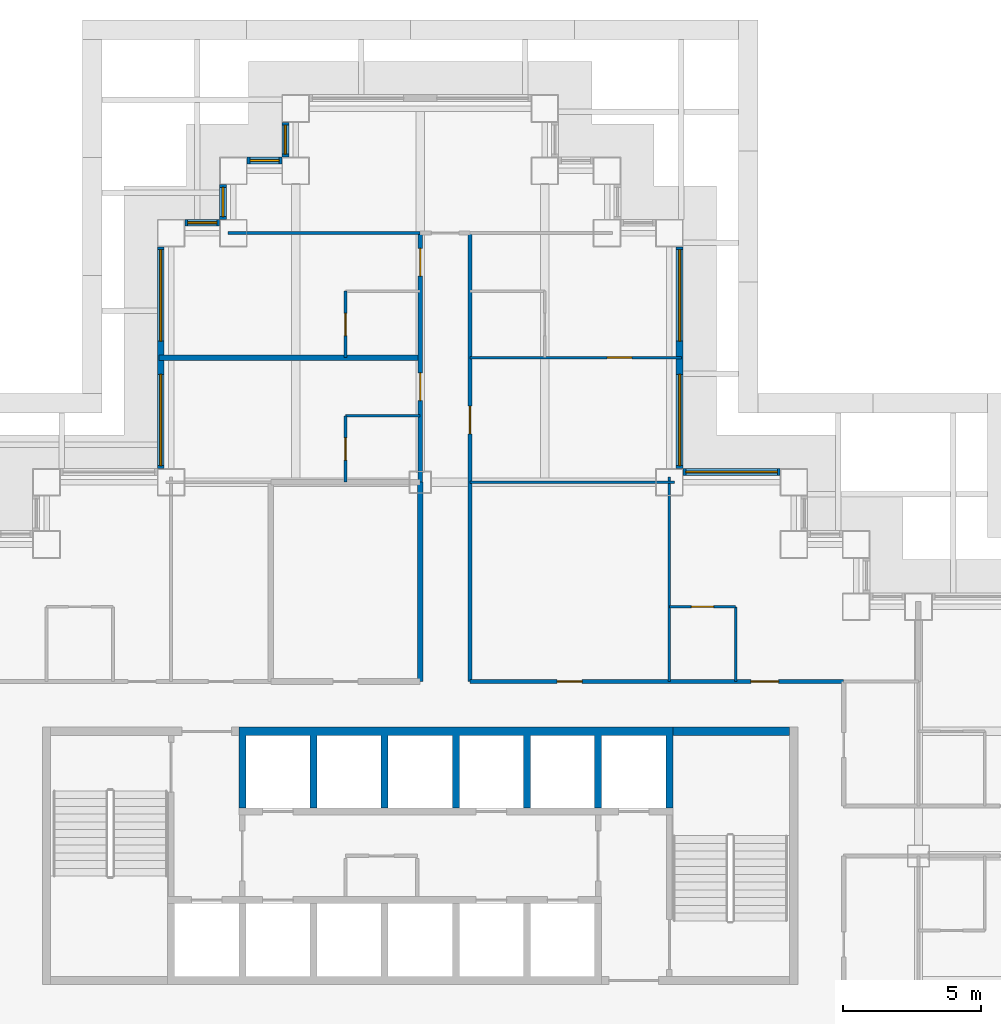
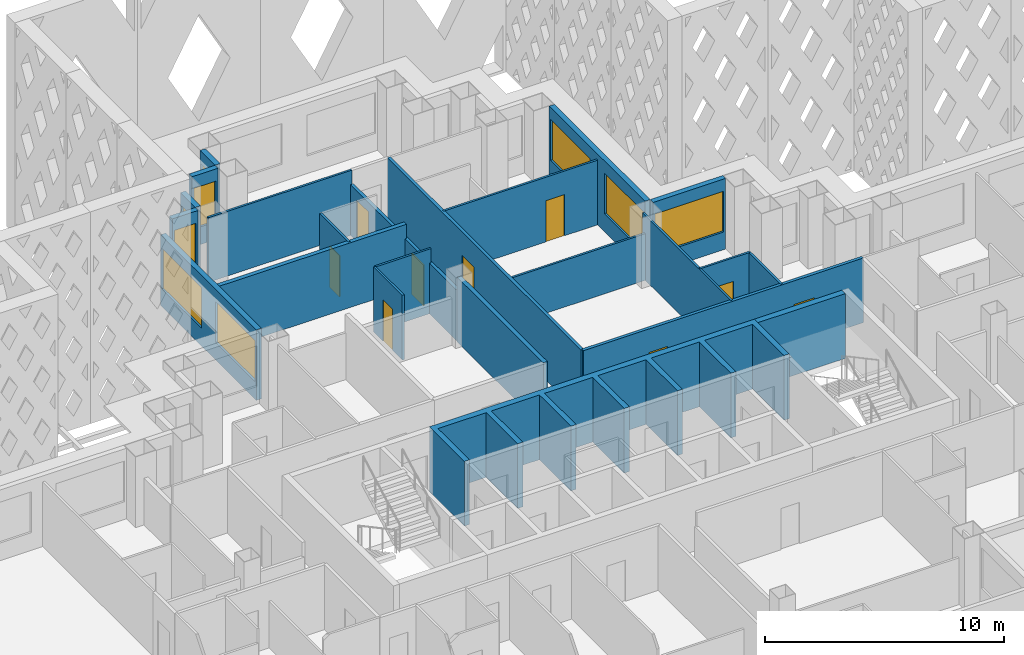
# One storey, part 8 of 19: 23 walls, 9 doors, 9 windows, 18 openings.
"""IFC4 building model written with IfcOpenShell, lengths in metres."""

from ifc_helpers import new_model, si_unit, direction, frame, frame_2d, origin, place, context, subcontext, project, spatial, polyline, rectangle, outline, extrude, material, layer, layer_set, type_object, element, fill, save


model = new_model("IFC4")

# Units and contexts
model_context = context("Model", 3, precision=1e-05, world=origin(), true_north=direction((0.0, 1.0)))
body_context = subcontext(model_context, "Body", "Model", "MODEL_VIEW")
ifc_project = project(units=[si_unit("LENGTHUNIT", "METRE"), si_unit("AREAUNIT", "SQUARE_METRE"), si_unit("VOLUMEUNIT", "CUBIC_METRE"), si_unit("PLANEANGLEUNIT", "RADIAN"), si_unit("MASSUNIT", "GRAM", prefix="KILO")], contexts=[model_context])

# Site, building, storey
site_placement = place(None, origin())
site = spatial("IfcSite", under=ifc_project, at=site_placement, CompositionType="ELEMENT")
building_placement = place(site_placement, origin())
building = spatial("IfcBuilding", under=site, at=building_placement, Name="Caravel Reach Hotel and Residences", CompositionType="ELEMENT")
storey_placement = place(building_placement, frame((0.0, 0.0, 63.60009765625)))
storey = spatial("IfcBuildingStorey", under=building, at=storey_placement, Name="L14", CompositionType="ELEMENT", Elevation=63.60009765625)

# Wall, opening, door
ifc_material_1 = material(Name="Gypsum board on steel stud", Category="steel")
ifc_layer_1 = layer(ifc_material_1, 0.10009765625)
ifc_layer_set_1 = layer_set([ifc_layer_1], Name="Bathroom pod wall 100 mm")
wall_type_1 = type_object("IfcWallType", Name="Bathroom pod wall 100 mm", PredefinedType="PARTITIONING", material=ifc_layer_set_1)
wall_1_placement = place(storey_placement, frame((40.5, 36.0, 0.0), z_axis=(0.0, 0.0, 1.0), x_axis=(1.0, 0.0, 0.0)))
wall_1 = element("IfcWall", 1, at=wall_1_placement, inside=storey, type_object=wall_type_1, Name="L14 wall w082", PredefinedType="PARTITIONING", context=body_context, shape_type="SweptSolid", body=[
    extrude(rectangle(XDim=2.39990234375, YDim=0.10009765625, at=frame_2d((1.199951171875, 0.0))), origin(), (0.0, 0.0, 1.0), 3.2998046875),
])
opening_1_placement = place(wall_1_placement, frame((0.800048828125, 0.0, 0.0)))
opening_1 = element("IfcOpeningElement", 2, at=opening_1_placement, cuts=wall_1, Name="Opening D14-045", PredefinedType="OPENING", context=body_context, shape_type="SweptSolid", body=[
    extrude(rectangle(XDim=0.800048828125, YDim=2.10009765625, at=frame_2d((0.39990234375, 1.050048828125))), frame((0.0, 0.06005859375, 0.0), z_axis=(0.0, -1.0, 0.0), x_axis=(1.0, 0.0, 0.0)), (0.0, 0.0, 1.0), 0.1201171875),
])
ifc_material_2 = material(Name="Timber and steel door leaf", Category="steel")
door_type_1 = type_object("IfcDoorType", Name="Bathroom door 800 x 2100", OperationType="SINGLE_SWING_LEFT", PredefinedType="DOOR", material=ifc_material_2)
door_1_placement = place(opening_1_placement, origin())
door_1 = element("IfcDoor", 3, at=door_1_placement, inside=storey, type_object=door_type_1, Name="door D14-045", OperationType="SINGLE_SWING_LEFT", OverallHeight=2.10009765625, OverallWidth=0.800048828125, PredefinedType="DOOR", context=body_context, shape_type="SweptSolid", body=[
    extrude(rectangle(XDim=0.800048828125, YDim=2.10009765625, at=frame_2d((0.39990234375, 1.050048828125))), frame((0.0, 0.02490234375, 0.0), z_axis=(0.0, -1.0, 0.0), x_axis=(1.0, 0.0, 0.0)), (0.0, 0.0, 1.0), 0.050048828125),
])
fill(opening_1, door_1)

# Wall
wall_2_placement = place(storey_placement, frame((28.800048828125, 42.89990234375, 0.0), z_axis=(0.0, 0.0, 1.0), x_axis=(1.0, 0.0, 0.0)))
element("IfcWall", 4, at=wall_2_placement, inside=storey, type_object=wall_type_1, Name="L14 wall w083", PredefinedType="PARTITIONING", context=body_context, shape_type="SweptSolid", body=[
    extrude(rectangle(XDim=2.699951171875, YDim=0.10009765625, at=frame_2d((1.35009765625, 0.0))), origin(), (0.0, 0.0, 1.0), 3.2998046875),
])

# Wall, opening, door
wall_3_placement = place(storey_placement, frame((28.800048828125, 40.5, 0.0), z_axis=(0.0, 0.0, 1.0), x_axis=(0.0, 1.0, 0.0)))
wall_3 = element("IfcWall", 5, at=wall_3_placement, inside=storey, type_object=wall_type_1, Name="L14 wall w095", PredefinedType="PARTITIONING", context=body_context, shape_type="SweptSolid", body=[
    extrude(rectangle(XDim=2.39990234375, YDim=0.10009765625, at=frame_2d((1.199951171875, 0.0))), origin(), (0.0, 0.0, 1.0), 3.2998046875),
])
opening_2_placement = place(wall_3_placement, frame((0.800048828125, 0.0, 0.0)))
opening_2 = element("IfcOpeningElement", 6, at=opening_2_placement, cuts=wall_3, Name="Opening D14-024", PredefinedType="OPENING", context=body_context, shape_type="SweptSolid", body=[
    extrude(rectangle(XDim=0.800048828125, YDim=2.10009765625, at=frame_2d((0.39990234375, 1.050048828125))), frame((0.0, 0.06005859375, 0.0), z_axis=(0.0, -1.0, 0.0), x_axis=(1.0, 0.0, 0.0)), (0.0, 0.0, 1.0), 0.1201171875),
])
door_2_placement = place(opening_2_placement, origin())
door_2 = element("IfcDoor", 7, at=door_2_placement, inside=storey, type_object=door_type_1, Name="door D14-024", OperationType="SINGLE_SWING_RIGHT", OverallHeight=2.10009765625, OverallWidth=0.800048828125, PredefinedType="DOOR", context=body_context, shape_type="SweptSolid", body=[
    extrude(rectangle(XDim=0.800048828125, YDim=2.10009765625, at=frame_2d((0.39990234375, 1.050048828125))), frame((0.0, 0.02490234375, 0.0), z_axis=(0.0, -1.0, 0.0), x_axis=(1.0, 0.0, 0.0)), (0.0, 0.0, 1.0), 0.050048828125),
])
fill(opening_2, door_2)

wall_4_placement = place(storey_placement, frame((28.800048828125, 45.0, 0.0), z_axis=(0.0, 0.0, 1.0), x_axis=(0.0, 1.0, 0.0)))
wall_4 = element("IfcWall", 8, at=wall_4_placement, inside=storey, type_object=wall_type_1, Name="L14 wall w096", PredefinedType="PARTITIONING", context=body_context, shape_type="SweptSolid", body=[
    extrude(rectangle(XDim=2.39990234375, YDim=0.10009765625, at=frame_2d((1.199951171875, 0.0))), origin(), (0.0, 0.0, 1.0), 3.2998046875),
])
opening_3_placement = place(wall_4_placement, frame((0.800048828125, 0.0, 0.0)))
opening_3 = element("IfcOpeningElement", 9, at=opening_3_placement, cuts=wall_4, Name="Opening D14-026", PredefinedType="OPENING", context=body_context, shape_type="SweptSolid", body=[
    extrude(rectangle(XDim=0.800048828125, YDim=2.10009765625, at=frame_2d((0.39990234375, 1.050048828125))), frame((0.0, 0.06005859375, 0.0), z_axis=(0.0, -1.0, 0.0), x_axis=(1.0, 0.0, 0.0)), (0.0, 0.0, 1.0), 0.1201171875),
])
door_3_placement = place(opening_3_placement, origin())
door_3 = element("IfcDoor", 10, at=door_3_placement, inside=storey, type_object=door_type_1, Name="door D14-026", OperationType="SINGLE_SWING_LEFT", OverallHeight=2.10009765625, OverallWidth=0.800048828125, PredefinedType="DOOR", context=body_context, shape_type="SweptSolid", body=[
    extrude(rectangle(XDim=0.800048828125, YDim=2.10009765625, at=frame_2d((0.39990234375, 1.050048828125))), frame((0.0, 0.02490234375, 0.0), z_axis=(0.0, -1.0, 0.0), x_axis=(1.0, 0.0, 0.0)), (0.0, 0.0, 1.0), 0.050048828125),
])
fill(opening_3, door_3)

# Walls
wall_5_placement = place(storey_placement, frame((42.89990234375, 33.300048828125, 0.0), z_axis=(0.0, 0.0, 1.0), x_axis=(0.0, 1.0, 0.0)))
element("IfcWall", 11, at=wall_5_placement, inside=storey, type_object=wall_type_1, Name="L14 wall w101", PredefinedType="PARTITIONING", context=body_context, shape_type="SweptSolid", body=[
    extrude(rectangle(XDim=2.699951171875, YDim=0.10009765625, at=frame_2d((1.35009765625, 0.0))), origin(), (0.0, 0.0, 1.0), 3.2998046875),
])
ifc_material_3 = material(Name="Autoclaved aerated block wall")
ifc_layer_2 = layer(ifc_material_3, 0.199951171875)
ifc_layer_set_2 = layer_set([ifc_layer_2], Name="Compartment wall 200 mm EI 120")
wall_type_2 = type_object("IfcWallType", Name="Compartment wall 200 mm EI 120", PredefinedType="PARTITIONING", material=ifc_layer_set_2)
wall_6_placement = place(storey_placement, frame((31.5, 33.300048828125, 0.0), z_axis=(0.0, 0.0, 1.0), x_axis=(0.0, 1.0, 0.0)))
element("IfcWall", 12, at=wall_6_placement, inside=storey, type_object=wall_type_2, Name="L14 wall w108", PredefinedType="PARTITIONING", context=body_context, shape_type="SweptSolid", body=[
    extrude(rectangle(XDim=7.199951171875, YDim=0.199951171875, at=frame_2d((3.60009765625, 0.0))), origin(), (0.0, 0.0, 1.0), 3.2998046875),
])
ifc_material_4 = material(Name="Concrete C60", Category="concrete")
ifc_layer_3 = layer(ifc_material_4, 0.300048828125)
ifc_layer_set_3 = layer_set([ifc_layer_3], Name="Core wall 300 mm EI 120")
wall_type_3 = type_object("IfcWallType", Name="Core wall 300 mm EI 120", PredefinedType="SHEAR", material=ifc_layer_set_3)
wall_7_placement = place(storey_placement, frame((40.625, 31.5, 0.0), z_axis=(0.0, 0.0, 1.0), x_axis=(1.0, 0.0, 0.0)))
element("IfcWall", 13, at=wall_7_placement, inside=storey, type_object=wall_type_3, Name="L14 core wall N2", PredefinedType="SHEAR", context=body_context, shape_type="SweptSolid", body=[
    extrude(rectangle(XDim=4.22509765625, YDim=0.300048828125, at=frame_2d((2.112548828125, 0.0))), origin(), (0.0, 0.0, 1.0), 3.2998046875),
])

# Wall, openings, doors
ifc_material_5 = material(Name="Gypsum board on steel stud, fire-rated", Category="steel")
ifc_layer_4 = layer(ifc_material_5, 0.14990234375)
ifc_layer_set_4 = layer_set([ifc_layer_4], Name="Corridor wall 150 mm EI 60")
wall_type_4 = type_object("IfcWallType", Name="Corridor wall 150 mm EI 60", PredefinedType="PARTITIONING", material=ifc_layer_set_4)
wall_8_placement = place(storey_placement, frame((33.300048828125, 33.300048828125, 0.0), z_axis=(0.0, 0.0, 1.0), x_axis=(1.0, 0.0, 0.0)))
wall_8 = element("IfcWall", 14, at=wall_8_placement, inside=storey, type_object=wall_type_4, Name="L14 wall w018", PredefinedType="PARTITIONING", context=body_context, shape_type="SweptSolid", body=[
    extrude(rectangle(XDim=13.5, YDim=0.14990234375, at=frame_2d((6.75, 0.0))), origin(), (0.0, 0.0, 1.0), 3.2998046875),
])
opening_4_placement = place(wall_8_placement, frame((10.14990234375, 0.0, 0.0)))
opening_4 = element("IfcOpeningElement", 15, at=opening_4_placement, cuts=wall_8, Name="Opening D14-044", PredefinedType="OPENING", context=body_context, shape_type="SweptSolid", body=[
    extrude(rectangle(XDim=1.0, YDim=2.10009765625, at=frame_2d((0.5, 1.050048828125))), frame((0.0, 0.0849609375, 0.0), z_axis=(0.0, -1.0, 0.0), x_axis=(1.0, 0.0, 0.0)), (0.0, 0.0, 1.0), 0.169921875),
])
opening_5_placement = place(wall_8_placement, frame((3.14990234375, 0.0, 0.0)))
opening_5 = element("IfcOpeningElement", 16, at=opening_5_placement, cuts=wall_8, Name="Opening D14-053", PredefinedType="OPENING", context=body_context, shape_type="SweptSolid", body=[
    extrude(rectangle(XDim=0.89990234375, YDim=2.10009765625, at=frame_2d((0.449951171875, 1.050048828125))), frame((0.0, 0.0849609375, 0.0), z_axis=(0.0, -1.0, 0.0), x_axis=(1.0, 0.0, 0.0)), (0.0, 0.0, 1.0), 0.169921875),
])
ifc_material_6 = material(Name="Timber and steel door leaf", Category="steel")
door_type_2 = type_object("IfcDoorType", Name="Door 900 x 2100 timber", OperationType="SINGLE_SWING_LEFT", PredefinedType="DOOR", material=ifc_material_6)
door_4_placement = place(opening_5_placement, origin())
door_4 = element("IfcDoor", 17, at=door_4_placement, inside=storey, type_object=door_type_2, Name="door D14-053", OperationType="SINGLE_SWING_LEFT", OverallHeight=2.10009765625, OverallWidth=0.89990234375, PredefinedType="DOOR", context=body_context, shape_type="SweptSolid", body=[
    extrude(rectangle(XDim=0.89990234375, YDim=2.10009765625, at=frame_2d((0.449951171875, 1.050048828125))), frame((0.0, 0.02490234375, 0.0), z_axis=(0.0, -1.0, 0.0), x_axis=(1.0, 0.0, 0.0)), (0.0, 0.0, 1.0), 0.050048828125),
])
fill(opening_5, door_4)
ifc_material_7 = material(Name="Steel fire door leaf", Category="steel")
door_type_3 = type_object("IfcDoorType", Name="Guest room door 1000 x 2100 EI 30", OperationType="SINGLE_SWING_LEFT", PredefinedType="DOOR", material=ifc_material_7)
door_5_placement = place(opening_4_placement, origin())
door_5 = element("IfcDoor", 18, at=door_5_placement, inside=storey, type_object=door_type_3, Name="door D14-044", OperationType="SINGLE_SWING_RIGHT", OverallHeight=2.10009765625, OverallWidth=1.0, PredefinedType="DOOR", context=body_context, shape_type="SweptSolid", body=[
    extrude(rectangle(XDim=1.0, YDim=2.10009765625, at=frame_2d((0.5, 1.050048828125))), frame((0.0, 0.02490234375, 0.0), z_axis=(0.0, -1.0, 0.0), x_axis=(1.0, 0.0, 0.0)), (0.0, 0.0, 1.0), 0.050048828125),
])
fill(opening_4, door_5)

wall_9_placement = place(storey_placement, frame((31.5, 40.5, 0.0), z_axis=(0.0, 0.0, 1.0), x_axis=(0.0, 1.0, 0.0)))
wall_9 = element("IfcWall", 19, at=wall_9_placement, inside=storey, type_object=wall_type_4, Name="L14 wall w026", PredefinedType="PARTITIONING", context=body_context, shape_type="SweptSolid", body=[
    extrude(rectangle(XDim=9.0, YDim=0.14990234375, at=frame_2d((4.5, 0.0))), origin(), (0.0, 0.0, 1.0), 2.579833984375),
])
opening_6_placement = place(wall_9_placement, frame((2.949951171875, 0.0, 0.0)))
opening_6 = element("IfcOpeningElement", 20, at=opening_6_placement, cuts=wall_9, Name="Opening D14-023", PredefinedType="OPENING", context=body_context, shape_type="SweptSolid", body=[
    extrude(rectangle(XDim=1.0, YDim=2.10009765625, at=frame_2d((0.5, 1.050048828125))), frame((0.0, 0.0849609375, 0.0), z_axis=(0.0, -1.0, 0.0), x_axis=(1.0, 0.0, 0.0)), (0.0, 0.0, 1.0), 0.169921875),
])
opening_7_placement = place(wall_9_placement, frame((7.449951171875, 0.0, 0.0)))
opening_7 = element("IfcOpeningElement", 21, at=opening_7_placement, cuts=wall_9, Name="Opening D14-025", PredefinedType="OPENING", context=body_context, shape_type="SweptSolid", body=[
    extrude(rectangle(XDim=1.0, YDim=2.10009765625, at=frame_2d((0.5, 1.050048828125))), frame((0.0, 0.0849609375, 0.0), z_axis=(0.0, -1.0, 0.0), x_axis=(1.0, 0.0, 0.0)), (0.0, 0.0, 1.0), 0.169921875),
])
door_6_placement = place(opening_6_placement, origin())
door_6 = element("IfcDoor", 22, at=door_6_placement, inside=storey, type_object=door_type_3, Name="door D14-023", OperationType="SINGLE_SWING_RIGHT", OverallHeight=2.10009765625, OverallWidth=1.0, PredefinedType="DOOR", context=body_context, shape_type="SweptSolid", body=[
    extrude(rectangle(XDim=1.0, YDim=2.10009765625, at=frame_2d((0.5, 1.050048828125))), frame((0.0, 0.02490234375, 0.0), z_axis=(0.0, -1.0, 0.0), x_axis=(1.0, 0.0, 0.0)), (0.0, 0.0, 1.0), 0.050048828125),
])
fill(opening_6, door_6)
door_7_placement = place(opening_7_placement, origin())
door_7 = element("IfcDoor", 23, at=door_7_placement, inside=storey, type_object=door_type_3, Name="door D14-025", OperationType="SINGLE_SWING_RIGHT", OverallHeight=2.10009765625, OverallWidth=1.0, PredefinedType="DOOR", context=body_context, shape_type="SweptSolid", body=[
    extrude(rectangle(XDim=1.0, YDim=2.10009765625, at=frame_2d((0.5, 1.050048828125))), frame((0.0, 0.02490234375, 0.0), z_axis=(0.0, -1.0, 0.0), x_axis=(1.0, 0.0, 0.0)), (0.0, 0.0, 1.0), 0.050048828125),
])
fill(opening_7, door_7)

# Wall, opening, door
wall_10_placement = place(storey_placement, frame((33.300048828125, 33.300048828125, 0.0), z_axis=(0.0, 0.0, 1.0), x_axis=(0.0, 1.0, 0.0)))
wall_10 = element("IfcWall", 24, at=wall_10_placement, inside=storey, type_object=wall_type_4, Name="L14 wall w031", PredefinedType="PARTITIONING", context=body_context, shape_type="SweptSolid", body=[
    extrude(rectangle(XDim=16.199951171875, YDim=0.14990234375, at=frame_2d((8.10009765625, 0.0))), origin(), (0.0, 0.0, 1.0), 3.2998046875),
])
opening_8_placement = place(wall_10_placement, frame((8.949951171875, 0.0, 0.0)))
opening_8 = element("IfcOpeningElement", 25, at=opening_8_placement, cuts=wall_10, Name="Opening D14-027", PredefinedType="OPENING", context=body_context, shape_type="SweptSolid", body=[
    extrude(rectangle(XDim=1.0, YDim=2.10009765625, at=frame_2d((0.5, 1.050048828125))), frame((0.0, 0.0849609375, 0.0), z_axis=(0.0, -1.0, 0.0), x_axis=(1.0, 0.0, 0.0)), (0.0, 0.0, 1.0), 0.169921875),
])
door_8_placement = place(opening_8_placement, origin())
door_8 = element("IfcDoor", 26, at=door_8_placement, inside=storey, type_object=door_type_3, Name="door D14-027", OperationType="SINGLE_SWING_RIGHT", OverallHeight=2.10009765625, OverallWidth=1.0, PredefinedType="DOOR", context=body_context, shape_type="SweptSolid", body=[
    extrude(rectangle(XDim=1.0, YDim=2.10009765625, at=frame_2d((0.5, 1.050048828125))), frame((0.0, 0.02490234375, 0.0), z_axis=(0.0, -1.0, 0.0), x_axis=(1.0, 0.0, 0.0)), (0.0, 0.0, 1.0), 0.050048828125),
])
fill(opening_8, door_8)

# Wall, opening, window
ifc_material_8 = material(Name="Insulated rainscreen wall, aluminium cladding", Category="aluminium")
ifc_layer_5 = layer(ifc_material_8, 0.25)
ifc_layer_set_5 = layer_set([ifc_layer_5], Name="EW1 Tower rainscreen wall")
wall_type_5 = type_object("IfcWallType", Name="EW1 Tower rainscreen wall", PredefinedType="SOLIDWALL", material=ifc_layer_set_5)
wall_11_placement = place(storey_placement, frame((44.5, 40.875, 0.0), z_axis=(0.0, 0.0, 1.0), x_axis=(-1.0, 0.0, 0.0)))
wall_11 = element("IfcWall", 27, at=wall_11_placement, inside=storey, type_object=wall_type_5, Name="External wall L14 N29.1", PredefinedType="SOLIDWALL", context=body_context, shape_type="SweptSolid", body=[
    extrude(rectangle(XDim=3.5, YDim=0.25, at=frame_2d((1.75, 0.0))), origin(), (0.0, 0.0, 1.0), 3.599853515625),
])
opening_9_placement = place(wall_11_placement, frame((0.10009765625, 0.0, 0.89990234375)))
opening_9 = element("IfcOpeningElement", 28, at=opening_9_placement, cuts=wall_11, Name="Opening WN4", PredefinedType="OPENING", context=body_context, shape_type="SweptSolid", body=[
    extrude(rectangle(XDim=3.300048828125, YDim=2.080078125, at=frame_2d((1.64990234375, 1.0400390625))), frame((0.0, 0.135009765625, 0.0), z_axis=(0.0, -1.0, 0.0), x_axis=(1.0, 0.0, 0.0)), (0.0, 0.0, 1.0), 0.27001953125),
])
ifc_material_9 = material(Name="Dark low-e glazing in black aluminium frame", Category="aluminium")
window_type_1 = type_object("IfcWindowType", Name="Hotel guest room window 3300 x 2080", PartitioningType="SINGLE_PANEL", PredefinedType="WINDOW", material=ifc_material_9)
window_1_placement = place(opening_9_placement, origin())
window_1 = element("IfcWindow", 29, at=window_1_placement, inside=storey, type_object=window_type_1, Name="Window L14 N29.1.1", OverallHeight=2.080078125, OverallWidth=3.300048828125, PartitioningType="SINGLE_PANEL", PredefinedType="WINDOW", context=body_context, shape_type="SweptSolid", body=[
    extrude(rectangle(XDim=3.300048828125, YDim=2.080078125, at=frame_2d((1.64990234375, 1.0400390625))), frame((0.0, 0.030029296875, 0.0), z_axis=(0.0, -1.0, 0.0), x_axis=(1.0, 0.0, 0.0)), (0.0, 0.0, 1.0), 0.06005859375),
])
fill(opening_9, window_1)

# Wall, openings, windows
wall_12_placement = place(storey_placement, frame((40.875, 41.0, 0.0), z_axis=(0.0, 0.0, 1.0), x_axis=(0.0, 1.0, 0.0)))
wall_12 = element("IfcWall", 30, at=wall_12_placement, inside=storey, type_object=wall_type_5, Name="External wall L14 E30.1", PredefinedType="SOLIDWALL", context=body_context, shape_type="SweptSolid", body=[
    extrude(rectangle(XDim=8.0, YDim=0.25, at=frame_2d((4.0, 0.0))), origin(), (0.0, 0.0, 1.0), 3.599853515625),
])
opening_10_placement = place(wall_12_placement, frame((0.10009765625, 0.0, 0.89990234375)))
opening_10 = element("IfcOpeningElement", 31, at=opening_10_placement, cuts=wall_12, Name="Opening WN4", PredefinedType="OPENING", context=body_context, shape_type="SweptSolid", body=[
    extrude(rectangle(XDim=3.300048828125, YDim=2.080078125, at=frame_2d((1.64990234375, 1.0400390625))), frame((0.0, 0.135009765625, 0.0), z_axis=(0.0, -1.0, 0.0), x_axis=(1.0, 0.0, 0.0)), (0.0, 0.0, 1.0), 0.27001953125),
])
opening_11_placement = place(wall_12_placement, frame((4.60009765625, 0.0, 0.89990234375)))
opening_11 = element("IfcOpeningElement", 32, at=opening_11_placement, cuts=wall_12, Name="Opening WN4", PredefinedType="OPENING", context=body_context, shape_type="SweptSolid", body=[
    extrude(rectangle(XDim=3.300048828125, YDim=2.080078125, at=frame_2d((1.64990234375, 1.0400390625))), frame((0.0, 0.135009765625, 0.0), z_axis=(0.0, -1.0, 0.0), x_axis=(1.0, 0.0, 0.0)), (0.0, 0.0, 1.0), 0.27001953125),
])
window_2_placement = place(opening_10_placement, origin())
window_2 = element("IfcWindow", 33, at=window_2_placement, inside=storey, type_object=window_type_1, Name="Window L14 E30.1.1", OverallHeight=2.080078125, OverallWidth=3.300048828125, PartitioningType="SINGLE_PANEL", PredefinedType="WINDOW", context=body_context, shape_type="SweptSolid", body=[
    extrude(rectangle(XDim=3.300048828125, YDim=2.080078125, at=frame_2d((1.64990234375, 1.0400390625))), frame((0.0, 0.030029296875, 0.0), z_axis=(0.0, -1.0, 0.0), x_axis=(1.0, 0.0, 0.0)), (0.0, 0.0, 1.0), 0.06005859375),
])
fill(opening_10, window_2)
window_3_placement = place(opening_11_placement, origin())
window_3 = element("IfcWindow", 34, at=window_3_placement, inside=storey, type_object=window_type_1, Name="Window L14 E30.1.2", OverallHeight=2.080078125, OverallWidth=3.300048828125, PartitioningType="SINGLE_PANEL", PredefinedType="WINDOW", context=body_context, shape_type="SweptSolid", body=[
    extrude(rectangle(XDim=3.300048828125, YDim=2.080078125, at=frame_2d((1.64990234375, 1.0400390625))), frame((0.0, 0.030029296875, 0.0), z_axis=(0.0, -1.0, 0.0), x_axis=(1.0, 0.0, 0.0)), (0.0, 0.0, 1.0), 0.06005859375),
])
fill(opening_11, window_3)

# Wall, opening, window
wall_13_placement = place(storey_placement, frame((26.625, 53.5, 0.0), z_axis=(0.0, 0.0, 1.0), x_axis=(0.0, -1.0, 0.0)))
wall_13 = element("IfcWall", 35, at=wall_13_placement, inside=storey, type_object=wall_type_5, Name="External wall L14 W36.1", PredefinedType="SOLIDWALL", context=body_context, shape_type="SweptSolid", body=[
    extrude(rectangle(XDim=1.25, YDim=0.25, at=frame_2d((0.625, 0.0))), origin(), (0.0, 0.0, 1.0), 3.599853515625),
])
opening_12_placement = place(wall_13_placement, frame((0.10009765625, 0.0, 0.89990234375)))
opening_12 = element("IfcOpeningElement", 36, at=opening_12_placement, cuts=wall_13, Name="Opening WN3", PredefinedType="OPENING", context=body_context, shape_type="SweptSolid", body=[
    extrude(rectangle(XDim=1.050048828125, YDim=2.080078125, at=frame_2d((0.52490234375, 1.0400390625))), frame((0.0, 0.135009765625, 0.0), z_axis=(0.0, -1.0, 0.0), x_axis=(1.0, 0.0, 0.0)), (0.0, 0.0, 1.0), 0.27001953125),
])
ifc_material_10 = material(Name="Dark low-e glazing in black aluminium frame", Category="aluminium")
window_type_2 = type_object("IfcWindowType", Name="Hotel suite corner window 1050 x 2080", PartitioningType="SINGLE_PANEL", PredefinedType="WINDOW", material=ifc_material_10)
window_4_placement = place(opening_12_placement, origin())
window_4 = element("IfcWindow", 37, at=window_4_placement, inside=storey, type_object=window_type_2, Name="Window L14 W36.1.1", OverallHeight=2.080078125, OverallWidth=1.050048828125, PartitioningType="SINGLE_PANEL", PredefinedType="WINDOW", context=body_context, shape_type="SweptSolid", body=[
    extrude(rectangle(XDim=1.050048828125, YDim=2.080078125, at=frame_2d((0.52490234375, 1.0400390625))), frame((0.0, 0.030029296875, 0.0), z_axis=(0.0, -1.0, 0.0), x_axis=(1.0, 0.0, 0.0)), (0.0, 0.0, 1.0), 0.06005859375),
])
fill(opening_12, window_4)

wall_14_placement = place(storey_placement, frame((26.5, 52.125, 0.0), z_axis=(0.0, 0.0, 1.0), x_axis=(-1.0, 0.0, 0.0)))
wall_14 = element("IfcWall", 38, at=wall_14_placement, inside=storey, type_object=wall_type_5, Name="External wall L14 N37.1", PredefinedType="SOLIDWALL", context=body_context, shape_type="SweptSolid", body=[
    extrude(rectangle(XDim=1.25, YDim=0.25, at=frame_2d((0.625, 0.0))), origin(), (0.0, 0.0, 1.0), 3.599853515625),
])
opening_13_placement = place(wall_14_placement, frame((0.10009765625, 0.0, 0.89990234375)))
opening_13 = element("IfcOpeningElement", 39, at=opening_13_placement, cuts=wall_14, Name="Opening WN3", PredefinedType="OPENING", context=body_context, shape_type="SweptSolid", body=[
    extrude(rectangle(XDim=1.050048828125, YDim=2.080078125, at=frame_2d((0.52490234375, 1.0400390625))), frame((0.0, 0.135009765625, 0.0), z_axis=(0.0, -1.0, 0.0), x_axis=(1.0, 0.0, 0.0)), (0.0, 0.0, 1.0), 0.27001953125),
])
window_5_placement = place(opening_13_placement, origin())
window_5 = element("IfcWindow", 40, at=window_5_placement, inside=storey, type_object=window_type_2, Name="Window L14 N37.1.1", OverallHeight=2.080078125, OverallWidth=1.050048828125, PartitioningType="SINGLE_PANEL", PredefinedType="WINDOW", context=body_context, shape_type="SweptSolid", body=[
    extrude(rectangle(XDim=1.050048828125, YDim=2.080078125, at=frame_2d((0.52490234375, 1.0400390625))), frame((0.0, 0.030029296875, 0.0), z_axis=(0.0, -1.0, 0.0), x_axis=(1.0, 0.0, 0.0)), (0.0, 0.0, 1.0), 0.06005859375),
])
fill(opening_13, window_5)

wall_15_placement = place(storey_placement, frame((24.375, 51.25, 0.0), z_axis=(0.0, 0.0, 1.0), x_axis=(0.0, -1.0, 0.0)))
wall_15 = element("IfcWall", 41, at=wall_15_placement, inside=storey, type_object=wall_type_5, Name="External wall L14 W38.1", PredefinedType="SOLIDWALL", context=body_context, shape_type="SweptSolid", body=[
    extrude(rectangle(XDim=1.25, YDim=0.25, at=frame_2d((0.625, 0.0))), origin(), (0.0, 0.0, 1.0), 3.599853515625),
])
opening_14_placement = place(wall_15_placement, frame((0.10009765625, 0.0, 0.89990234375)))
opening_14 = element("IfcOpeningElement", 42, at=opening_14_placement, cuts=wall_15, Name="Opening WN3", PredefinedType="OPENING", context=body_context, shape_type="SweptSolid", body=[
    extrude(rectangle(XDim=1.050048828125, YDim=2.080078125, at=frame_2d((0.52490234375, 1.0400390625))), frame((0.0, 0.135009765625, 0.0), z_axis=(0.0, -1.0, 0.0), x_axis=(1.0, 0.0, 0.0)), (0.0, 0.0, 1.0), 0.27001953125),
])
window_6_placement = place(opening_14_placement, origin())
window_6 = element("IfcWindow", 43, at=window_6_placement, inside=storey, type_object=window_type_2, Name="Window L14 W38.1.1", OverallHeight=2.080078125, OverallWidth=1.050048828125, PartitioningType="SINGLE_PANEL", PredefinedType="WINDOW", context=body_context, shape_type="SweptSolid", body=[
    extrude(rectangle(XDim=1.050048828125, YDim=2.080078125, at=frame_2d((0.52490234375, 1.0400390625))), frame((0.0, 0.030029296875, 0.0), z_axis=(0.0, -1.0, 0.0), x_axis=(1.0, 0.0, 0.0)), (0.0, 0.0, 1.0), 0.06005859375),
])
fill(opening_14, window_6)

wall_16_placement = place(storey_placement, frame((24.25, 49.875, 0.0), z_axis=(0.0, 0.0, 1.0), x_axis=(-1.0, 0.0, 0.0)))
wall_16 = element("IfcWall", 44, at=wall_16_placement, inside=storey, type_object=wall_type_5, Name="External wall L14 N39.1", PredefinedType="SOLIDWALL", context=body_context, shape_type="SweptSolid", body=[
    extrude(rectangle(XDim=1.25, YDim=0.25, at=frame_2d((0.625, 0.0))), origin(), (0.0, 0.0, 1.0), 3.599853515625),
])
opening_15_placement = place(wall_16_placement, frame((0.10009765625, 0.0, 0.89990234375)))
opening_15 = element("IfcOpeningElement", 45, at=opening_15_placement, cuts=wall_16, Name="Opening WN3", PredefinedType="OPENING", context=body_context, shape_type="SweptSolid", body=[
    extrude(rectangle(XDim=1.050048828125, YDim=2.080078125, at=frame_2d((0.52490234375, 1.0400390625))), frame((0.0, 0.135009765625, 0.0), z_axis=(0.0, -1.0, 0.0), x_axis=(1.0, 0.0, 0.0)), (0.0, 0.0, 1.0), 0.27001953125),
])
window_7_placement = place(opening_15_placement, origin())
window_7 = element("IfcWindow", 46, at=window_7_placement, inside=storey, type_object=window_type_2, Name="Window L14 N39.1.1", OverallHeight=2.080078125, OverallWidth=1.050048828125, PartitioningType="SINGLE_PANEL", PredefinedType="WINDOW", context=body_context, shape_type="SweptSolid", body=[
    extrude(rectangle(XDim=1.050048828125, YDim=2.080078125, at=frame_2d((0.52490234375, 1.0400390625))), frame((0.0, 0.030029296875, 0.0), z_axis=(0.0, -1.0, 0.0), x_axis=(1.0, 0.0, 0.0)), (0.0, 0.0, 1.0), 0.06005859375),
])
fill(opening_15, window_7)

# Wall, openings, windows
wall_17_placement = place(storey_placement, frame((22.125, 49.0, 0.0), z_axis=(0.0, 0.0, 1.0), x_axis=(0.0, -1.0, 0.0)))
wall_17 = element("IfcWall", 47, at=wall_17_placement, inside=storey, type_object=wall_type_5, Name="External wall L14 W40.1", PredefinedType="SOLIDWALL", context=body_context, shape_type="SweptSolid", body=[
    extrude(rectangle(XDim=8.0, YDim=0.25, at=frame_2d((4.0, 0.0))), origin(), (0.0, 0.0, 1.0), 3.599853515625),
])
opening_16_placement = place(wall_17_placement, frame((0.10009765625, 0.0, 0.89990234375)))
opening_16 = element("IfcOpeningElement", 48, at=opening_16_placement, cuts=wall_17, Name="Opening WN4", PredefinedType="OPENING", context=body_context, shape_type="SweptSolid", body=[
    extrude(rectangle(XDim=3.300048828125, YDim=2.080078125, at=frame_2d((1.64990234375, 1.0400390625))), frame((0.0, 0.135009765625, 0.0), z_axis=(0.0, -1.0, 0.0), x_axis=(1.0, 0.0, 0.0)), (0.0, 0.0, 1.0), 0.27001953125),
])
opening_17_placement = place(wall_17_placement, frame((4.60009765625, 0.0, 0.89990234375)))
opening_17 = element("IfcOpeningElement", 49, at=opening_17_placement, cuts=wall_17, Name="Opening WN4", PredefinedType="OPENING", context=body_context, shape_type="SweptSolid", body=[
    extrude(rectangle(XDim=3.300048828125, YDim=2.080078125, at=frame_2d((1.64990234375, 1.0400390625))), frame((0.0, 0.135009765625, 0.0), z_axis=(0.0, -1.0, 0.0), x_axis=(1.0, 0.0, 0.0)), (0.0, 0.0, 1.0), 0.27001953125),
])
window_8_placement = place(opening_16_placement, origin())
window_8 = element("IfcWindow", 50, at=window_8_placement, inside=storey, type_object=window_type_1, Name="Window L14 W40.1.1", OverallHeight=2.080078125, OverallWidth=3.300048828125, PartitioningType="SINGLE_PANEL", PredefinedType="WINDOW", context=body_context, shape_type="SweptSolid", body=[
    extrude(rectangle(XDim=3.300048828125, YDim=2.080078125, at=frame_2d((1.64990234375, 1.0400390625))), frame((0.0, 0.030029296875, 0.0), z_axis=(0.0, -1.0, 0.0), x_axis=(1.0, 0.0, 0.0)), (0.0, 0.0, 1.0), 0.06005859375),
])
fill(opening_16, window_8)
window_9_placement = place(opening_17_placement, origin())
window_9 = element("IfcWindow", 51, at=window_9_placement, inside=storey, type_object=window_type_1, Name="Window L14 W40.1.2", OverallHeight=2.080078125, OverallWidth=3.300048828125, PartitioningType="SINGLE_PANEL", PredefinedType="WINDOW", context=body_context, shape_type="SweptSolid", body=[
    extrude(rectangle(XDim=3.300048828125, YDim=2.080078125, at=frame_2d((1.64990234375, 1.0400390625))), frame((0.0, 0.030029296875, 0.0), z_axis=(0.0, -1.0, 0.0), x_axis=(1.0, 0.0, 0.0)), (0.0, 0.0, 1.0), 0.06005859375),
])
fill(opening_17, window_9)

# Wall
ifc_material_11 = material(Name="Gypsum board on steel stud", Category="steel")
ifc_layer_6 = layer(ifc_material_11, 0.10009765625)
ifc_layer_set_6 = layer_set([ifc_layer_6], Name="Partition 100 mm")
wall_type_6 = type_object("IfcWallType", Name="Partition 100 mm", PredefinedType="PARTITIONING", material=ifc_layer_set_6)
wall_18_placement = place(storey_placement, frame((33.300048828125, 40.5, 0.0), z_axis=(0.0, 0.0, 1.0), x_axis=(1.0, 0.0, 0.0)))
element("IfcWall", 52, at=wall_18_placement, inside=storey, type_object=wall_type_6, Name="L14 wall w046", PredefinedType="PARTITIONING", context=body_context, shape_type="SweptSolid", body=[
    extrude(rectangle(XDim=7.389892578125, YDim=0.10009765625, at=frame_2d((3.69482421875, 0.0))), origin(), (0.0, 0.0, 1.0), 2.3798828125),
])

# Wall, opening, door
wall_19_placement = place(storey_placement, frame((33.300048828125, 45.0, 0.0), z_axis=(0.0, 0.0, 1.0), x_axis=(1.0, 0.0, 0.0)))
wall_19 = element("IfcWall", 53, at=wall_19_placement, inside=storey, type_object=wall_type_6, Name="L14 wall w047", PredefinedType="PARTITIONING", context=body_context, shape_type="SweptSolid", body=[
    extrude(rectangle(XDim=7.639892578125, YDim=0.10009765625, at=frame_2d((3.81982421875, 0.0))), origin(), (0.0, 0.0, 1.0), 3.2998046875),
])
opening_18_placement = place(wall_19_placement, frame((4.949951171875, 0.0, 0.0)))
opening_18 = element("IfcOpeningElement", 54, at=opening_18_placement, cuts=wall_19, Name="Opening D14-028", PredefinedType="OPENING", context=body_context, shape_type="SweptSolid", body=[
    extrude(rectangle(XDim=0.89990234375, YDim=2.10009765625, at=frame_2d((0.449951171875, 1.050048828125))), frame((0.0, 0.06005859375, 0.0), z_axis=(0.0, -1.0, 0.0), x_axis=(1.0, 0.0, 0.0)), (0.0, 0.0, 1.0), 0.1201171875),
])
door_9_placement = place(opening_18_placement, origin())
door_9 = element("IfcDoor", 55, at=door_9_placement, inside=storey, type_object=door_type_2, Name="door D14-028", OperationType="SINGLE_SWING_RIGHT", OverallHeight=2.10009765625, OverallWidth=0.89990234375, PredefinedType="DOOR", context=body_context, shape_type="SweptSolid", body=[
    extrude(rectangle(XDim=0.89990234375, YDim=2.10009765625, at=frame_2d((0.449951171875, 1.050048828125))), frame((0.0, 0.02490234375, 0.0), z_axis=(0.0, -1.0, 0.0), x_axis=(1.0, 0.0, 0.0)), (0.0, 0.0, 1.0), 0.050048828125),
])
fill(opening_18, door_9)

# Walls
wall_20_placement = place(storey_placement, frame((24.56005859375, 49.5, 0.0), z_axis=(0.0, 0.0, 1.0), x_axis=(1.0, 0.0, 0.0)))
element("IfcWall", 56, at=wall_20_placement, inside=storey, type_object=wall_type_6, Name="L14 wall w048", PredefinedType="PARTITIONING", context=body_context, shape_type="SweptSolid", body=[
    extrude(rectangle(XDim=6.93994140625, YDim=0.10009765625, at=frame_2d((3.469970703125, 0.0))), origin(), (0.0, 0.0, 1.0), 3.2998046875),
])
wall_21_placement = place(storey_placement, frame((40.5, 33.300048828125, 0.0), z_axis=(0.0, 0.0, 1.0), x_axis=(0.0, 1.0, 0.0)))
element("IfcWall", 57, at=wall_21_placement, inside=storey, type_object=wall_type_6, Name="L14 wall w058", PredefinedType="PARTITIONING", context=body_context, shape_type="SweptSolid", body=[
    extrude(rectangle(XDim=7.389892578125, YDim=0.10009765625, at=frame_2d((3.69482421875, 0.0))), origin(), (0.0, 0.0, 1.0), 3.2998046875),
])
ifc_material_12 = material(Name="Autoclaved aerated block wall")
ifc_layer_7 = layer(ifc_material_12, 0.199951171875)
ifc_layer_set_7 = layer_set([ifc_layer_7], Name="Party wall 200 mm EI 60")
wall_type_7 = type_object("IfcWallType", Name="Party wall 200 mm EI 60", PredefinedType="PARTITIONING", material=ifc_layer_set_7)
wall_22_placement = place(storey_placement, frame((22.06005859375, 45.0, 0.0), z_axis=(0.0, 0.0, 1.0), x_axis=(1.0, 0.0, 0.0)))
element("IfcWall", 58, at=wall_22_placement, inside=storey, type_object=wall_type_7, Name="L14 wall w068", PredefinedType="PARTITIONING", context=body_context, shape_type="SweptSolid", body=[
    extrude(rectangle(XDim=9.43994140625, YDim=0.199951171875, at=frame_2d((4.719970703125, 0.0))), origin(), (0.0, 0.0, 1.0), 3.2998046875),
])
ifc_material_13 = material(Name="Concrete C60", Category="concrete")
ifc_layer_8 = layer(ifc_material_13, 0.25)
ifc_layer_set_8 = layer_set([ifc_layer_8], Name="Shaft wall 250 mm EI 120")
wall_type_8 = type_object("IfcWallType", Name="Shaft wall 250 mm EI 120", PredefinedType="SHEAR", material=ifc_layer_set_8)
wall_23_placement = place(storey_placement, origin())
element("IfcWall", 59, at=wall_23_placement, inside=storey, type_object=wall_type_8, Name="L14 lift shaft wall N1", PredefinedType="SHEAR", context=body_context, shape_type="SweptSolid", body=[
    extrude(outline(polyline([(24.946533203125, 28.72509765625), (25.196533203125, 28.72509765625), (25.196533203125, 31.35009765625), (27.517822265625, 31.35009765625), (27.517822265625, 28.72509765625), (27.767822265625, 28.72509765625), (27.767822265625, 31.35009765625), (30.08935546875, 31.35009765625), (30.08935546875, 28.72509765625), (30.33935546875, 28.72509765625), (30.33935546875, 31.35009765625), (32.66064453125, 31.35009765625), (32.66064453125, 28.72509765625), (32.91064453125, 28.72509765625), (32.91064453125, 31.35009765625), (35.232177734375, 31.35009765625), (35.232177734375, 28.72509765625), (35.482177734375, 28.72509765625), (35.482177734375, 31.35009765625), (37.803466796875, 31.35009765625), (37.803466796875, 28.72509765625), (38.053466796875, 28.72509765625), (38.053466796875, 31.35009765625), (40.375, 31.35009765625), (40.375, 28.72509765625), (40.625, 28.72509765625), (40.625, 31.64990234375), (24.946533203125, 31.64990234375), (24.946533203125, 28.72509765625)])), origin(), (0.0, 0.0, 1.0), 3.2998046875),
])

save(model, "model.ifc")
